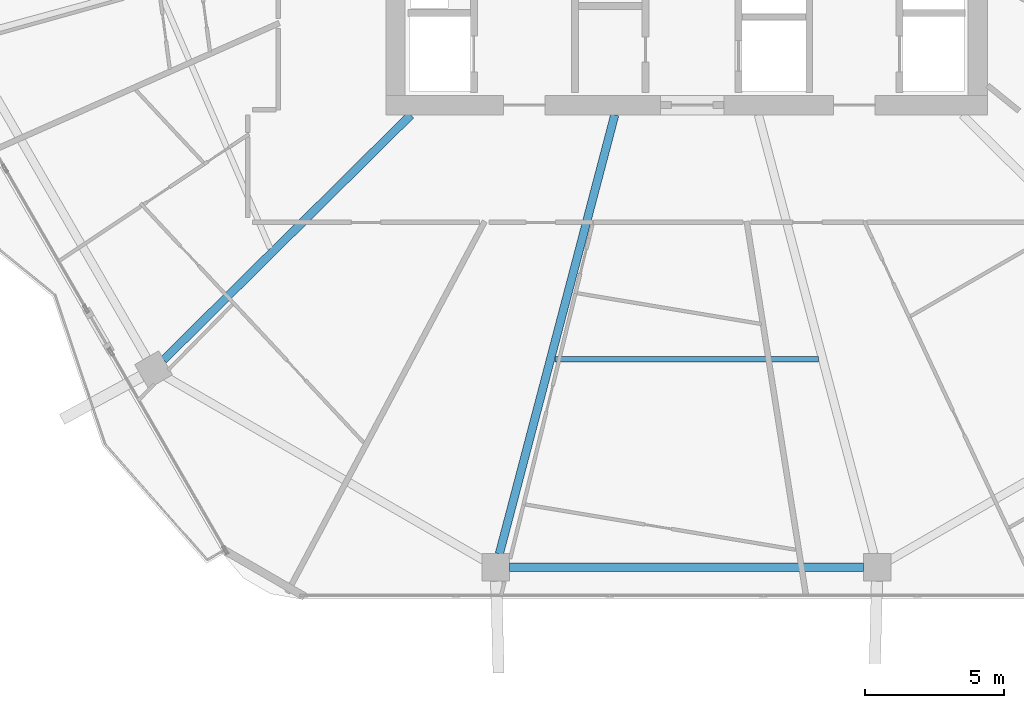
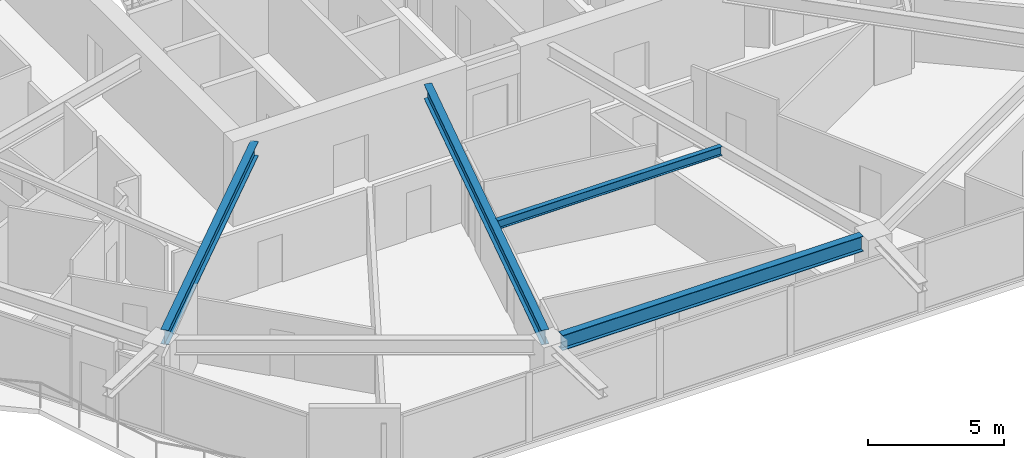
# One storey, part 4 of 25: 4 beams.
"""IFC4 building model written with IfcOpenShell, lengths in metres."""

from ifc_helpers import new_model, si_unit, direction, frame, origin, origin_2d, place, context, subcontext, project, spatial, i_section, extrude, material, material_profile, profile_set, type_object, element, save


model = new_model("IFC4")

# Units and contexts
model_context = context("Model", 3, precision=1e-05, world=origin(), true_north=direction((0.0, 1.0)))
body_context = subcontext(model_context, "Body", "Model", "MODEL_VIEW")
ifc_project = project(units=[si_unit("LENGTHUNIT", "METRE"), si_unit("AREAUNIT", "SQUARE_METRE"), si_unit("VOLUMEUNIT", "CUBIC_METRE"), si_unit("PLANEANGLEUNIT", "RADIAN"), si_unit("MASSUNIT", "GRAM", prefix="KILO")], contexts=[model_context])

# Site, building, storey
site_placement = place(None, origin())
site = spatial("IfcSite", under=ifc_project, at=site_placement, CompositionType="ELEMENT")
building_placement = place(site_placement, origin())
building = spatial("IfcBuilding", under=site, at=building_placement, Name="Zuhravey Tower", CompositionType="ELEMENT")
storey_placement = place(building_placement, frame((0.0, 0.0, 180.800048828125)))
storey = spatial("IfcBuildingStorey", under=building, at=storey_placement, Name="L45", CompositionType="ELEMENT", Elevation=180.800048828125)

# Beams
ifc_material = material(Name="Steel SM355", Category="steel")
ifc_material_profile_1 = material_profile(ifc_material, i_section(OverallWidth=0.300048828125, OverallDepth=0.679931640625, WebThickness=0.012939453125, FlangeThickness=0.02197265625, at=origin_2d()), Name="H-680x300x13x22")
ifc_profile_set_1 = profile_set([ifc_material_profile_1], Name="Steel SM355")
beam_type_1 = type_object("IfcBeamType", Name="Perimeter Ring Beam H680x300", PredefinedType="BEAM", material=ifc_profile_set_1)
beam_1_placement = place(storey_placement, frame((29.62109375, 5.826904296875, 3.2099609375), z_axis=(1.0, 0.0, 0.0), x_axis=(0.0, 1.0, 0.0)))
element("IfcBeam", 1, at=beam_1_placement, inside=storey, type_object=beam_type_1, Name="L45 PB2 BM-L45-PB-09", PredefinedType="BEAM", context=body_context, shape_type="SweptSolid", body=[
    extrude(i_section(OverallWidth=0.300048828125, OverallDepth=0.679931640625, WebThickness=0.012939453125, FlangeThickness=0.02197265625, at=origin_2d()), origin(), (0.0, 0.0, 1.0), 12.7578125),
])
ifc_material_profile_2 = material_profile(ifc_material, i_section(OverallWidth=0.300048828125, OverallDepth=0.64990234375, WebThickness=0.012939453125, FlangeThickness=0.02197265625, at=origin_2d()), Name="H-650x300x13x22")
ifc_profile_set_2 = profile_set([ifc_material_profile_2], Name="Steel SM355")
beam_type_2 = type_object("IfcBeamType", Name="Radial Primary Girder H650x300", PredefinedType="BEAM", material=ifc_profile_set_2)
beam_2_placement = place(storey_placement, frame((26.054443359375, 22.14697265625, 3.224853515625), z_axis=(-0.71040353357, -0.703794586148, 0.0), x_axis=(0.703794586148, -0.71040353357, 0.0)))
element("IfcBeam", 2, at=beam_2_placement, inside=storey, type_object=beam_type_2, Name="L45 RG2 BM-L45-RAD-08", PredefinedType="BEAM", context=body_context, shape_type="SweptSolid", body=[
    extrude(i_section(OverallWidth=0.300048828125, OverallDepth=0.64990234375, WebThickness=0.012939453125, FlangeThickness=0.02197265625, at=origin_2d()), origin(), (0.0, 0.0, 1.0), 12.559814453125),
])
beam_3_placement = place(storey_placement, frame((33.4091796875, 22.14697265625, 3.224853515625), z_axis=(-0.254300244998, -0.967125320418, 0.0), x_axis=(0.967125320418, -0.254300244998, 0.0)))
element("IfcBeam", 3, at=beam_3_placement, inside=storey, type_object=beam_type_2, Name="L45 RG2 BM-L45-RAD-09", PredefinedType="BEAM", context=body_context, shape_type="SweptSolid", body=[
    extrude(i_section(OverallWidth=0.300048828125, OverallDepth=0.64990234375, WebThickness=0.012939453125, FlangeThickness=0.02197265625, at=origin_2d()), origin(), (0.0, 0.0, 1.0), 16.371826171875),
])
ifc_material_profile_3 = material_profile(ifc_material, i_section(OverallWidth=0.199951171875, OverallDepth=0.39990234375, WebThickness=0.008056640625, FlangeThickness=0.012939453125, at=origin_2d()), Name="H-400x200x8x13")
ifc_profile_set_3 = profile_set([ifc_material_profile_3], Name="Steel SM355")
beam_type_3 = type_object("IfcBeamType", Name="Secondary Floor Joist H400x200", PredefinedType="JOIST", material=ifc_profile_set_3)
beam_4_placement = place(storey_placement, frame((31.245849609375, 13.334228515625, 3.349853515625), z_axis=(1.0, 0.0, 0.0), x_axis=(0.0, 1.0, 0.0)))
element("IfcBeam", 4, at=beam_4_placement, inside=storey, type_object=beam_type_3, Name="L45 SJ2 BM-L45-SJ-09-1", PredefinedType="JOIST", context=body_context, shape_type="SweptSolid", body=[
    extrude(i_section(OverallWidth=0.199951171875, OverallDepth=0.39990234375, WebThickness=0.008056640625, FlangeThickness=0.012939453125, at=origin_2d()), origin(), (0.0, 0.0, 1.0), 9.50830078125),
])

save(model, "model.ifc")
